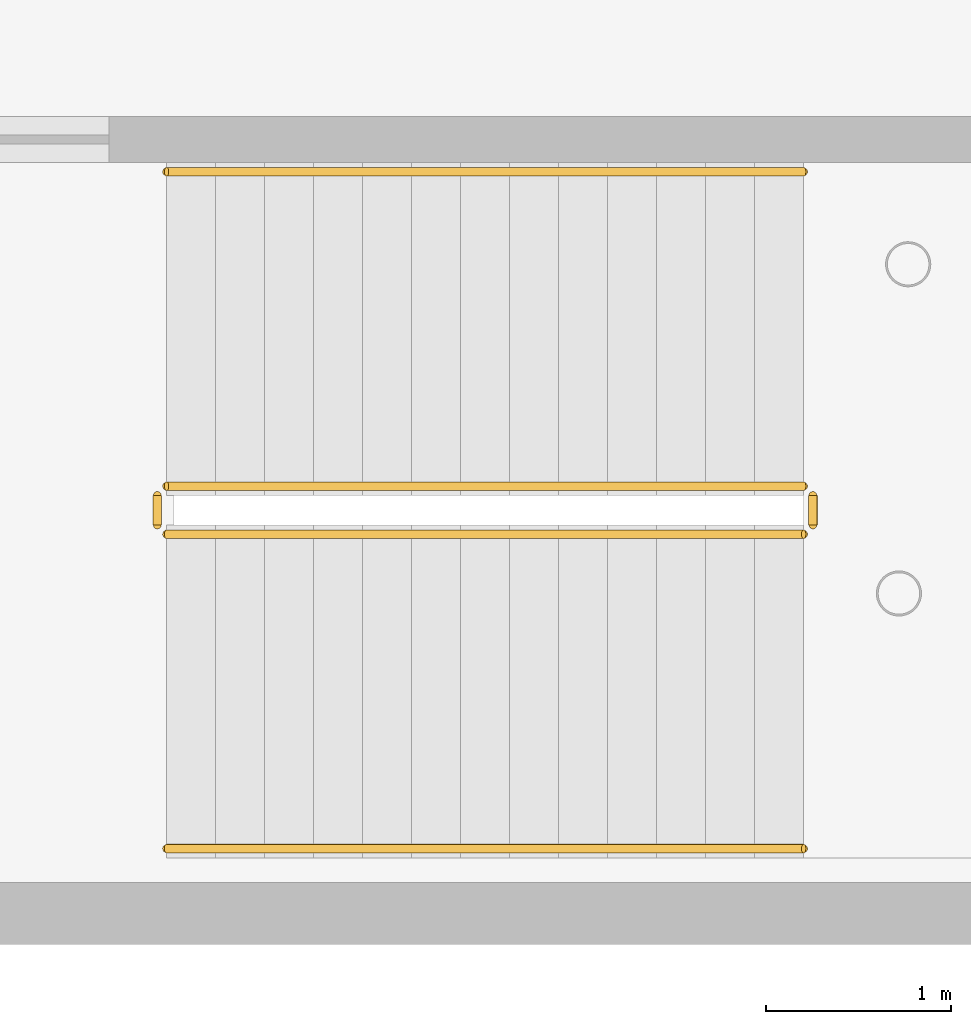
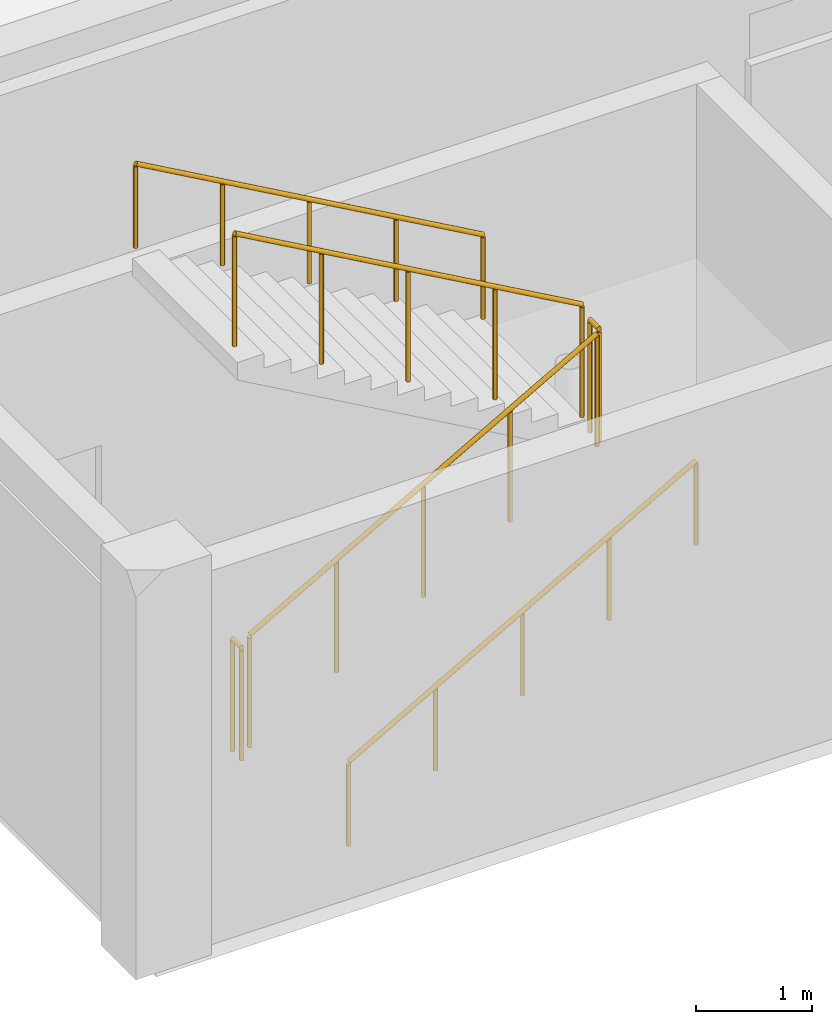
# One storey, part 182 of 195: 6 railings.
"""IFC4 building model written with IfcOpenShell, lengths in metres."""

from ifc_helpers import new_model, si_unit, direction, frame, origin, origin_2d, place, context, subcontext, project, spatial, circle, extrude, material, type_object, element, save


model = new_model("IFC4")

# Units and contexts
model_context = context("Model", 3, precision=1e-05, world=origin(), true_north=direction((0.0, 1.0)))
body_context = subcontext(model_context, "Body", "Model", "MODEL_VIEW")
ifc_project = project(units=[si_unit("LENGTHUNIT", "METRE"), si_unit("AREAUNIT", "SQUARE_METRE"), si_unit("VOLUMEUNIT", "CUBIC_METRE"), si_unit("PLANEANGLEUNIT", "RADIAN"), si_unit("MASSUNIT", "GRAM", prefix="KILO")], contexts=[model_context])

# Site, building, storey
site_placement = place(None, origin())
site = spatial("IfcSite", under=ifc_project, at=site_placement, CompositionType="ELEMENT")
building_placement = place(site_placement, origin())
building = spatial("IfcBuilding", under=site, at=building_placement, Name="Kharva Crest Polytechnic", CompositionType="ELEMENT")
storey_placement = place(building_placement, frame((0.0, 0.0, 9.0)))
storey = spatial("IfcBuildingStorey", under=building, at=storey_placement, Name="L02", CompositionType="ELEMENT", Elevation=9.0)

# Railings
ifc_material_1 = material(Name="Anodised aluminium", Category="aluminium")
railing_type_1 = type_object("IfcRailingType", Name="RL-STAIR-GUARD-1200", PredefinedType="GUARDRAIL", material=ifc_material_1)
railing_1_placement = place(storey_placement, frame((2.110107421875, 2.050048828125, 0.14990234375)))
element("IfcRailing", 1, at=railing_1_placement, inside=storey, type_object=railing_type_1, Name="L02 ST-10 stair guard 1", PredefinedType="GUARDRAIL", context=body_context, shape_type="SweptSolid", body=[
    extrude(circle(Radius=0.02392578125, at=origin_2d()), frame((0.0, 0.0, 1.17578125), z_axis=(0.870224926921, 0.0, 0.492654621987), x_axis=(0.0, 1.0, 0.0)), (0.0, 0.0, 1.0), 3.95849609375),
    extrude(circle(Radius=0.02099609375, at=origin_2d()), origin(), (0.0, 0.0, 1.0), 1.15185546875),
    extrude(circle(Radius=0.02099609375, at=origin_2d()), frame((0.861328125, 0.0, 0.487548828125)), (0.0, 0.0, 1.0), 1.15185546875),
    extrude(circle(Radius=0.02099609375, at=origin_2d()), frame((1.722412109375, 0.0, 0.97509765625)), (0.0, 0.0, 1.0), 1.15185546875),
    extrude(circle(Radius=0.02099609375, at=origin_2d()), frame((2.58349609375, 0.0, 1.462646484375)), (0.0, 0.0, 1.0), 1.15185546875),
    extrude(circle(Radius=0.02099609375, at=origin_2d()), frame((3.44482421875, 0.0, 1.9501953125)), (0.0, 0.0, 1.0), 1.15185546875),
])
railing_2_placement = place(storey_placement, frame((5.60498046875, 2.10009765625, 2.10009765625)))
element("IfcRailing", 2, at=railing_2_placement, inside=storey, type_object=railing_type_1, Name="L02 ST-10 stair guard 2", PredefinedType="GUARDRAIL", context=body_context, shape_type="SweptSolid", body=[
    extrude(circle(Radius=0.02392578125, at=origin_2d()), frame((0.0, 0.0, 1.17578125), z_axis=(0.0, 1.0, 0.0), x_axis=(-1.0, 0.0, 0.0)), (0.0, 0.0, 1.0), 0.159912109375),
    extrude(circle(Radius=0.02099609375, at=origin_2d()), origin(), (0.0, 0.0, 1.0), 1.15185546875),
    extrude(circle(Radius=0.02099609375, at=origin_2d()), frame((0.0, 0.159912109375, 0.0)), (0.0, 0.0, 1.0), 1.15185546875),
])
railing_3_placement = place(storey_placement, frame((5.554931640625, 2.31005859375, 2.25)))
element("IfcRailing", 3, at=railing_3_placement, inside=storey, type_object=railing_type_1, Name="L02 ST-10 stair guard 3", PredefinedType="GUARDRAIL", context=body_context, shape_type="SweptSolid", body=[
    extrude(circle(Radius=0.02392578125, at=origin_2d()), frame((0.0, 0.0, 1.17578125), z_axis=(-0.870251367514, 0.0, 0.492607914411), x_axis=(0.0, -1.0, 0.0)), (0.0, 0.0, 1.0), 3.95849609375),
    extrude(circle(Radius=0.02099609375, at=origin_2d()), origin(), (0.0, 0.0, 1.0), 1.15185546875),
    extrude(circle(Radius=0.02099609375, at=origin_2d()), frame((-0.861328125, 0.0, 0.487548828125)), (0.0, 0.0, 1.0), 1.15185546875),
    extrude(circle(Radius=0.02099609375, at=origin_2d()), frame((-1.722412109375, 0.0, 0.97509765625)), (0.0, 0.0, 1.0), 1.15185546875),
    extrude(circle(Radius=0.02099609375, at=origin_2d()), frame((-2.58349609375, 0.0, 1.46240234375)), (0.0, 0.0, 1.0), 1.15185546875),
    extrude(circle(Radius=0.02099609375, at=origin_2d()), frame((-3.44482421875, 0.0, 1.949951171875)), (0.0, 0.0, 1.0), 1.15185546875),
])
railing_4_placement = place(storey_placement, frame((2.06005859375, 2.10009765625, 0.0)))
element("IfcRailing", 4, at=railing_4_placement, inside=storey, type_object=railing_type_1, Name="L02 ST-10 stair guard 4", PredefinedType="GUARDRAIL", context=body_context, shape_type="SweptSolid", body=[
    extrude(circle(Radius=0.02392578125, at=origin_2d()), frame((0.0, 0.0, 1.17578125), z_axis=(0.0, 1.0, 0.0), x_axis=(-1.0, 0.0, 0.0)), (0.0, 0.0, 1.0), 0.159912109375),
    extrude(circle(Radius=0.02099609375, at=origin_2d()), origin(), (0.0, 0.0, 1.0), 1.15185546875),
    extrude(circle(Radius=0.02099609375, at=origin_2d()), frame((0.0, 0.159912109375, 0.0)), (0.0, 0.0, 1.0), 1.15185546875),
])
ifc_material_2 = material(Name="Teak timber", Category="wood")
railing_type_2 = type_object("IfcRailingType", Name="RL-STAIR-HAND-900", PredefinedType="HANDRAIL", material=ifc_material_2)
railing_5_placement = place(storey_placement, frame((2.110107421875, 0.35009765625, 0.14990234375)))
element("IfcRailing", 5, at=railing_5_placement, inside=storey, type_object=railing_type_2, Name="L02 ST-10 stair handrail 1", PredefinedType="HANDRAIL", context=body_context, shape_type="SweptSolid", body=[
    extrude(circle(Radius=0.02392578125, at=origin_2d()), frame((0.0, 0.0, 0.8759765625), z_axis=(0.870224926921, 0.0, 0.492654621987), x_axis=(0.0, 1.0, 0.0)), (0.0, 0.0, 1.0), 3.95849609375),
    extrude(circle(Radius=0.02099609375, at=origin_2d()), origin(), (0.0, 0.0, 1.0), 0.851806640625),
    extrude(circle(Radius=0.02099609375, at=origin_2d()), frame((0.861328125, 0.0, 0.487548828125)), (0.0, 0.0, 1.0), 0.851806640625),
    extrude(circle(Radius=0.02099609375, at=origin_2d()), frame((1.722412109375, 0.0, 0.97509765625)), (0.0, 0.0, 1.0), 0.851806640625),
    extrude(circle(Radius=0.02099609375, at=origin_2d()), frame((2.58349609375, 0.0, 1.462646484375)), (0.0, 0.0, 1.0), 0.851806640625),
    extrude(circle(Radius=0.02099609375, at=origin_2d()), frame((3.44482421875, 0.0, 1.9501953125)), (0.0, 0.0, 1.0), 0.851806640625),
])
railing_6_placement = place(storey_placement, frame((5.554931640625, 4.010009765625, 2.25)))
element("IfcRailing", 6, at=railing_6_placement, inside=storey, type_object=railing_type_2, Name="L02 ST-10 stair handrail 2", PredefinedType="HANDRAIL", context=body_context, shape_type="SweptSolid", body=[
    extrude(circle(Radius=0.02392578125, at=origin_2d()), frame((0.0, 0.0, 0.8759765625), z_axis=(-0.870251367514, 0.0, 0.492607914411), x_axis=(0.0, -1.0, 0.0)), (0.0, 0.0, 1.0), 3.95849609375),
    extrude(circle(Radius=0.02099609375, at=origin_2d()), origin(), (0.0, 0.0, 1.0), 0.851806640625),
    extrude(circle(Radius=0.02099609375, at=origin_2d()), frame((-0.861328125, 0.0, 0.487548828125)), (0.0, 0.0, 1.0), 0.851806640625),
    extrude(circle(Radius=0.02099609375, at=origin_2d()), frame((-1.722412109375, 0.0, 0.97509765625)), (0.0, 0.0, 1.0), 0.851806640625),
    extrude(circle(Radius=0.02099609375, at=origin_2d()), frame((-2.58349609375, 0.0, 1.46240234375)), (0.0, 0.0, 1.0), 0.851806640625),
    extrude(circle(Radius=0.02099609375, at=origin_2d()), frame((-3.44482421875, 0.0, 1.949951171875)), (0.0, 0.0, 1.0), 0.851806640625),
])

save(model, "model.ifc")
